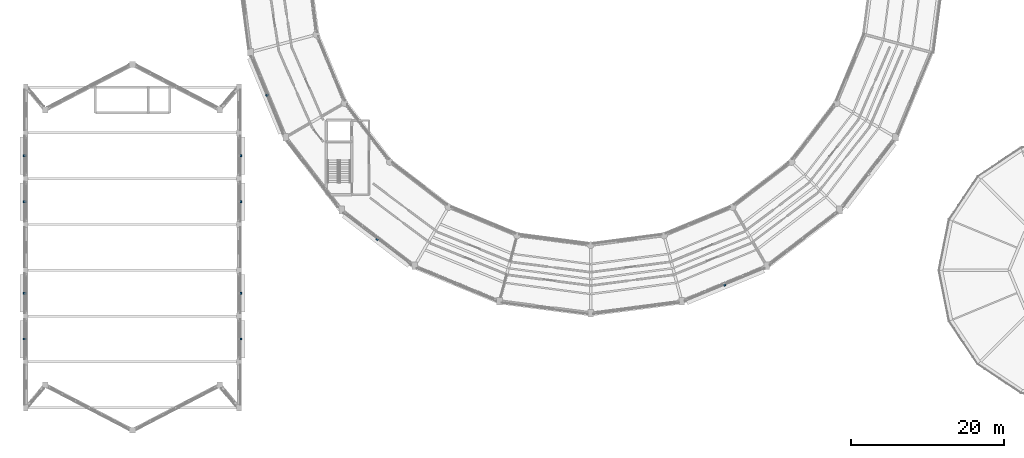
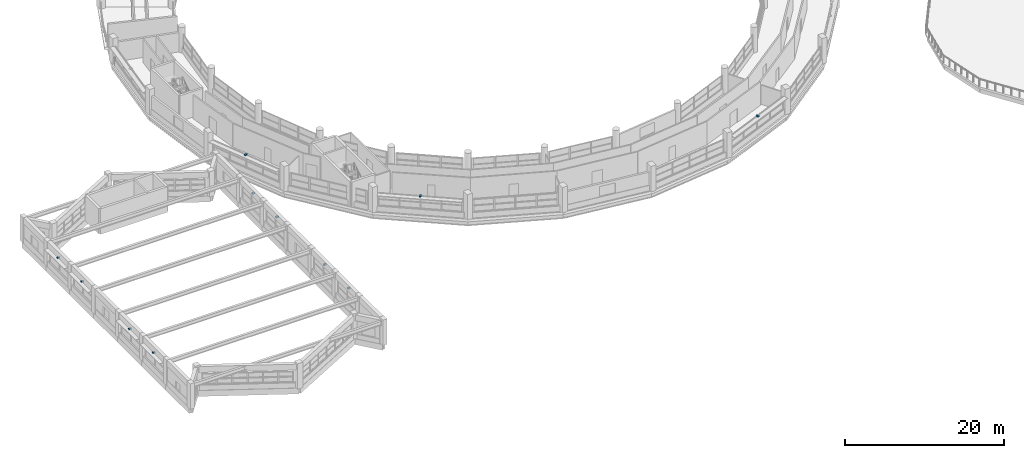
# One storey, part 98 of 108: 11 discrete accessories.
"""IFC4 building model written with IfcOpenShell, lengths in metres."""

from ifc_helpers import new_model, si_unit, direction, frame, origin, origin_2d, place, context, subcontext, project, spatial, rectangle, extrude, material, type_object, element, save


model = new_model("IFC4")

# Units and contexts
model_context = context("Model", 3, precision=1e-05, world=origin(), true_north=direction((0.0, 1.0)))
body_context = subcontext(model_context, "Body", "Model", "MODEL_VIEW")
ifc_project = project(units=[si_unit("LENGTHUNIT", "METRE"), si_unit("AREAUNIT", "SQUARE_METRE"), si_unit("VOLUMEUNIT", "CUBIC_METRE"), si_unit("PLANEANGLEUNIT", "RADIAN"), si_unit("MASSUNIT", "GRAM", prefix="KILO")], contexts=[model_context])

# Site, building, storey
site_placement = place(None, origin())
site = spatial("IfcSite", under=ifc_project, at=site_placement, CompositionType="ELEMENT")
building_placement = place(site_placement, origin())
building = spatial("IfcBuilding", under=site, at=building_placement, Name="Vespera Passage Community Centre", CompositionType="ELEMENT")
storey_placement = place(building_placement, frame((0.0, 0.0, 12.60009765625)))
storey = spatial("IfcBuildingStorey", under=building, at=storey_placement, Name="L03", CompositionType="ELEMENT", Elevation=12.60009765625)

# Discrete accessories
ifc_material = material(Name="Steel ASTM A572 Grade 50", Category="steel")
discrete_accessory_type = type_object("IfcDiscreteAccessoryType", Name="ACC-BRACKET", PredefinedType="BRACKET", material=ifc_material)
for number, where, z_axis, x_axis, name in (
    (1, (35.644287109375, 47.95556640625, 2.66552734375), (0.0, 0.0, 1.0), (-0.382683432365, 0.923879532511, 0.0), "V4 L03 Outer Solar Eyebrow 13 Bracket"),
    (2, (50.091064453125, 29.128173828125, 2.66552734375), (0.0, 0.0, 1.0), (-0.793342715279, 0.608775275544, 0.0), "V4 L03 Outer Solar Eyebrow 15 Bracket"),
    (3, (95.54443359375, 23.144287109375, 2.66552734375), (0.0, 0.0, 1.0), (-0.923879532511, -0.382683432365, 0.0), "V4 L03 Outer Solar Eyebrow 19 Bracket"),
    (4, (3.8701171875, 16.0, 2.8447265625), (0.0, 0.0, 1.0), (0.0, 1.0, 0.0), "V1 L03 W2 Solar Eyebrow Bracket"),
    (5, (32.1298828125, 16.0, 2.8447265625), (0.0, 0.0, 1.0), (0.0, -1.0, 0.0), "V1 L03 E2 Solar Eyebrow Bracket"),
    (6, (3.8701171875, 22.0, 2.8447265625), (0.0, 0.0, 1.0), (0.0, 1.0, 0.0), "V1 L03 W3 Solar Eyebrow Bracket"),
    (7, (32.1298828125, 22.0, 2.8447265625), (0.0, 0.0, 1.0), (0.0, -1.0, 0.0), "V1 L03 E3 Solar Eyebrow Bracket"),
    (8, (3.8701171875, 34.0, 2.8447265625), (0.0, 0.0, 1.0), (0.0, 1.0, 0.0), "V1 L03 W5 Solar Eyebrow Bracket"),
    (9, (32.1298828125, 34.0, 2.8447265625), (0.0, 0.0, 1.0), (0.0, -1.0, 0.0), "V1 L03 E5 Solar Eyebrow Bracket"),
    (10, (3.8701171875, 40.0, 2.8447265625), (0.0, 0.0, 1.0), (0.0, 1.0, 0.0), "V1 L03 W6 Solar Eyebrow Bracket"),
    (11, (32.1298828125, 40.0, 2.8447265625), (0.0, 0.0, 1.0), (0.0, -1.0, 0.0), "V1 L03 E6 Solar Eyebrow Bracket"),
):
    element("IfcDiscreteAccessory", number, at=place(storey_placement, frame(where, z_axis=z_axis, x_axis=x_axis)), inside=storey, type_object=discrete_accessory_type, Name=name, PredefinedType="BRACKET", context=body_context, shape_type="SweptSolid", body=[
        extrude(rectangle(XDim=0.239990234375, YDim=0.3798828125, at=origin_2d()), origin(), (0.0, 0.0, 1.0), 0.239990234375),
    ])

save(model, "model.ifc")
